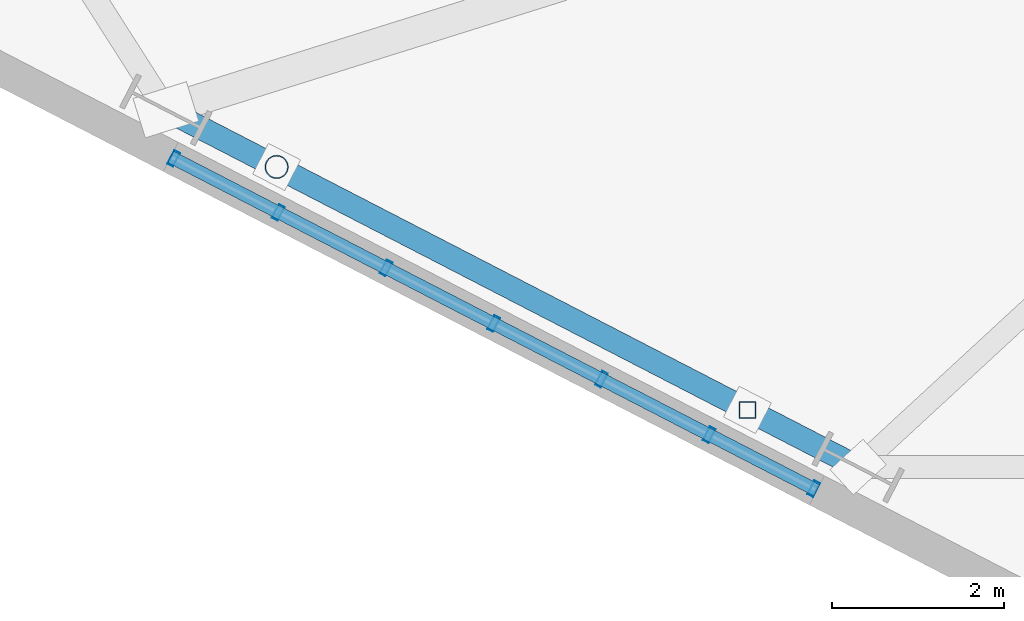
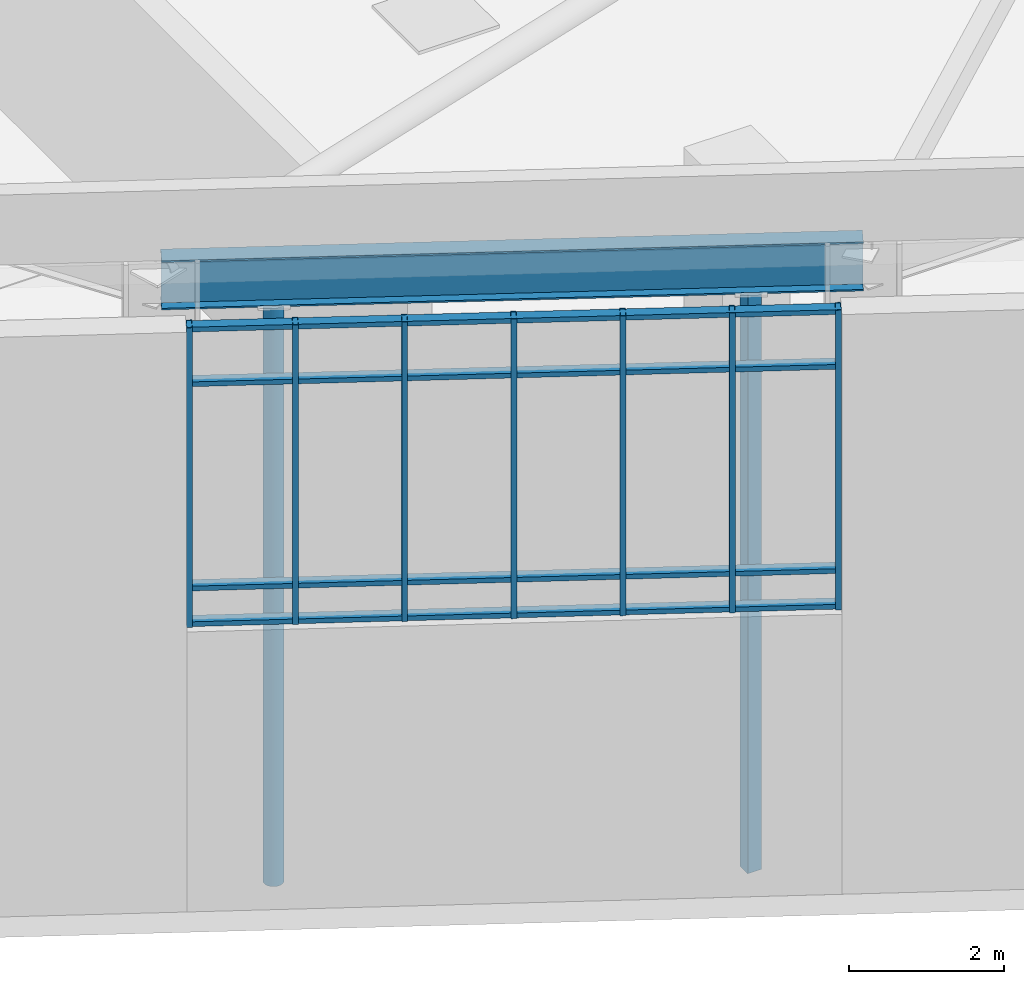
# One storey, part 2 of 23: 13 members, 1 beam, 1 element without a shape of its own.
"""IFC4 building model written with IfcOpenShell, lengths in metres."""

import ifcopenshell
import ifcopenshell.guid

model = None  # the IFC model being written
_history = None  # IfcOwnerHistory: only IFC2X3 demands one
_inside = {}  # id of a spatial element -> (the spatial element, [elements in it])
_under = {}  # id of a project, library or spatial element -> (it, [spatial elements below it])
_declared = {}  # id of a project -> (the project, [libraries it declares])
_typed = {}  # id of a type object -> (the type object, [elements of that type])
_made_of = {}  # id of a material, layer set ... -> (it, [elements and type objects made of it])


def new_model(schema):
    """Start an empty IFC model of exactly this schema.

    Asked for "IFC4X3", IfcOpenShell would pick the latest addendum, in which some entities
    have other attributes; the version numbers below select the first issue.
    IFC2X3 requires an IfcOwnerHistory on every rooted entity: one is made here for all.
    """
    global model, _history
    if schema == "IFC4X3":
        model = ifcopenshell.file(schema_version=(4, 3, 0, 0))
    else:
        model = ifcopenshell.file(schema=schema)
    _inside.clear()
    _under.clear()
    _declared.clear()
    _typed.clear()
    _made_of.clear()
    _history = None
    if model.schema == "IFC2X3":
        org = make("IfcOrganization", Name="unknown")
        user = make(
            "IfcPersonAndOrganization",
            ThePerson=make("IfcPerson", FamilyName="unknown"),
            TheOrganization=org,
        )
        app = make(
            "IfcApplication",
            ApplicationDeveloper=org,
            Version="unknown",
            ApplicationFullName="unknown",
            ApplicationIdentifier="unknown",
        )
        _history = make(
            "IfcOwnerHistory",
            OwningUser=user,
            OwningApplication=app,
            ChangeAction="ADDED",
            CreationDate=0,
        )
    return model


def make(cls, **values):
    """One entity of the class cls with the attributes given. An attribute that is None is left unset."""
    return model.create_entity(
        cls, **{name: value for name, value in values.items() if value is not None}
    )


def rooted(cls, **values):
    """An entity with a GlobalId (a new one), such as an element, a storey or a relation."""
    return make(cls, GlobalId=ifcopenshell.guid.new(), OwnerHistory=_history, **values)


def si_unit(unit_type, name, prefix=None):
    """IfcSIUnit, for example si_unit("LENGTHUNIT", "METRE", prefix="MILLI")."""
    return make("IfcSIUnit", UnitType=unit_type, Prefix=prefix, Name=name)


def assignment(units):
    """IfcUnitAssignment: the units of a project."""
    return None if units is None else make("IfcUnitAssignment", Units=units)


def point(xyz):
    """IfcCartesianPoint."""
    return None if xyz is None else make("IfcCartesianPoint", Coordinates=xyz)


def direction(xyz):
    """IfcDirection."""
    return None if xyz is None else make("IfcDirection", DirectionRatios=xyz)


def frame(location, z_axis=None, x_axis=None):
    """IfcAxis2Placement3D, a coordinate frame: its origin and axes. An axis left out is left unset."""
    return make(
        "IfcAxis2Placement3D",
        Location=point(location),
        Axis=direction(z_axis),
        RefDirection=direction(x_axis),
    )


def frame_2d(location, x_axis=None):
    """IfcAxis2Placement2D, a coordinate frame in the plane: its origin and x axis."""
    return make(
        "IfcAxis2Placement2D", Location=point(location), RefDirection=direction(x_axis)
    )


def origin():
    """The frame at (0, 0, 0) with its axes left unset."""
    return frame((0.0, 0.0, 0.0))


def origin_2d():
    """The frame at (0, 0) in the plane with its x axis left unset."""
    return frame_2d((0.0, 0.0))


def place(relative_to, where):
    """IfcLocalPlacement: puts the frame where relative to a parent placement (None: the world)."""
    return make(
        "IfcLocalPlacement", PlacementRelTo=relative_to, RelativePlacement=where
    )


def context(
    kind, dimensions, precision=None, world=None, true_north=None, identifier=None
):
    """IfcGeometricRepresentationContext, for example the 3D "Model" context."""
    return make(
        "IfcGeometricRepresentationContext",
        ContextIdentifier=identifier,
        ContextType=kind,
        CoordinateSpaceDimension=dimensions,
        Precision=precision,
        WorldCoordinateSystem=world,
        TrueNorth=true_north,
    )


def subcontext(parent, identifier, kind, view, scale=None):
    """IfcGeometricRepresentationSubContext, for example "Body" below "Model"."""
    return make(
        "IfcGeometricRepresentationSubContext",
        ContextIdentifier=identifier,
        ContextType=kind,
        ParentContext=parent,
        TargetScale=scale,
        TargetView=view,
    )


def project(units=None, contexts=None):
    """IfcProject with its units and contexts."""
    return rooted(
        "IfcProject",
        Name="project",
        RepresentationContexts=contexts,
        UnitsInContext=assignment(units),
    )


def spatial(cls, under=None, at=None, **own):
    """A site, building, storey or space (cls), placed at a placement, below another one or the project."""
    s = rooted(cls, ObjectPlacement=at, **own)
    if under is not None:
        _under.setdefault(under.id(), (under, []))[1].append(s)
    return s


def profile(cls, at=None, kind="AREA", **sizes):
    """A parametric profile (cls). Its sizes go by their IFC names, for example OverallWidth=200.0."""
    return make(cls, ProfileType=kind, Position=at, **sizes)


def hollow_rectangle(**sizes):
    """IfcRectangleHollowProfileDef."""
    return profile("IfcRectangleHollowProfileDef", **sizes)


def hollow_circle(**sizes):
    """IfcCircleHollowProfileDef."""
    return profile("IfcCircleHollowProfileDef", **sizes)


def i_section(**sizes):
    """IfcIShapeProfileDef."""
    return profile("IfcIShapeProfileDef", **sizes)


def extrude(swept, where, along, depth):
    """IfcExtrudedAreaSolid: the profile swept, set in the frame where, extruded along a direction by depth."""
    return make(
        "IfcExtrudedAreaSolid",
        SweptArea=swept,
        Position=where,
        ExtrudedDirection=direction(along),
        Depth=depth,
    )


def shape(context_of_items, identifier, shape_type, items):
    """IfcShapeRepresentation: the items that make up one representation, for example the "Body"."""
    return make(
        "IfcShapeRepresentation",
        ContextOfItems=context_of_items,
        RepresentationIdentifier=identifier,
        RepresentationType=shape_type,
        Items=items,
    )


def material(Name=None, Category=None):
    """IfcMaterial."""
    return make("IfcMaterial", Name=Name, Category=Category)


def layer(
    of_material, thickness, ventilated=None, Name=None, Category=None, Priority=None
):
    """IfcMaterialLayer: one layer of a wall or slab, of a material (None: an air gap)."""
    return make(
        "IfcMaterialLayer",
        Material=of_material,
        LayerThickness=thickness,
        IsVentilated=ventilated,
        Name=Name,
        Category=Category,
        Priority=Priority,
    )


def layer_set(layers, Name=None):
    """IfcMaterialLayerSet."""
    return make("IfcMaterialLayerSet", MaterialLayers=layers, LayerSetName=Name)


def material_profile(
    of_material, cross_section, Name=None, Category=None, Priority=None
):
    """IfcMaterialProfile: a cross section and its material."""
    return make(
        "IfcMaterialProfile",
        Name=Name,
        Material=of_material,
        Profile=cross_section,
        Priority=Priority,
        Category=Category,
    )


def profile_set(profiles, Name=None, composite=None):
    """IfcMaterialProfileSet."""
    return make(
        "IfcMaterialProfileSet",
        Name=Name,
        MaterialProfiles=profiles,
        CompositeProfile=composite,
    )


def made_of(thing, what):
    """Note that an element or type object is made of a material, layer set ...; save() writes the relation."""
    if what is not None:
        _made_of.setdefault(what.id(), (what, []))[1].append(thing)
    return thing


def type_object(cls, material=None, **own):
    """A type object (cls), such as IfcWallType, which elements share."""
    return made_of(rooted(cls, **own), material)


def element(
    cls,
    number,
    at=None,
    inside=None,
    cuts=None,
    type_object=None,
    material=None,
    context=None,
    identifier="Body",
    shape_type=None,
    held_by="IfcProductDefinitionShape",
    body=None,
    shapes=None,
    **own,
):
    """One element of the class cls, such as IfcWall. Its Tag is "e" and its number.

    at: its placement. inside: the storey or other place that contains it. cuts: it is an
    opening in that element (IfcRelVoidsElement). A single representation is given by context,
    identifier, shape_type and body (its items); several are given by shapes. held_by: the class
    of the entity that holds the representations. save() writes the other relations.
    """
    e = rooted(cls, Tag="e%d" % number, ObjectPlacement=at, **own)
    if body is not None:
        shapes = [shape(context, identifier, shape_type, body)]
    if shapes is not None:
        e.Representation = make(held_by, Representations=shapes)
    if inside is not None:
        _inside.setdefault(inside.id(), (inside, []))[1].append(e)
    if cuts is not None:
        rooted(
            "IfcRelVoidsElement", RelatingBuildingElement=cuts, RelatedOpeningElement=e
        )
    if type_object is not None:
        _typed.setdefault(type_object.id(), (type_object, []))[1].append(e)
    return made_of(e, material)


def aggregate(whole, parts):
    """IfcRelAggregates: a whole, such as a stair, and the parts it consists of."""
    return rooted("IfcRelAggregates", RelatingObject=whole, RelatedObjects=parts)


def save(model, path):
    """Write the relations noted so far, then the file.

    IfcRelAggregates (storeys below a building ...), IfcRelContainedInSpatialStructure (elements
    in a storey), IfcRelDefinesByType, IfcRelAssociatesMaterial and IfcRelDeclares: one each for
    every whole, place, type object, material and project.
    """
    for whole, parts in _under.values():
        aggregate(whole, parts)
    for where, things in _inside.values():
        rooted(
            "IfcRelContainedInSpatialStructure",
            RelatedElements=things,
            RelatingStructure=where,
        )
    for kind, things in _typed.values():
        rooted("IfcRelDefinesByType", RelatedObjects=things, RelatingType=kind)
    for what, things in _made_of.values():
        rooted("IfcRelAssociatesMaterial", RelatedObjects=things, RelatingMaterial=what)
    for by, libraries in _declared.values():
        rooted("IfcRelDeclares", RelatingContext=by, RelatedDefinitions=libraries)
    model.write(path)


model = new_model("IFC4")

# Units and contexts
model_context = context("Model", 3, precision=1e-05, world=origin(), true_north=direction((0.0, 1.0)))
body_context = subcontext(model_context, "Body", "Model", "MODEL_VIEW")
ifc_project = project(units=[si_unit("LENGTHUNIT", "METRE"), si_unit("AREAUNIT", "SQUARE_METRE"), si_unit("VOLUMEUNIT", "CUBIC_METRE"), si_unit("PLANEANGLEUNIT", "RADIAN"), si_unit("MASSUNIT", "GRAM", prefix="KILO"), si_unit("THERMODYNAMICTEMPERATUREUNIT", "KELVIN"), si_unit("POWERUNIT", "WATT")], contexts=[model_context])

# Site, building, storey
site_placement = place(None, origin())
site = spatial("IfcSite", under=ifc_project, at=site_placement, CompositionType="ELEMENT")
building_placement = place(site_placement, origin())
building = spatial("IfcBuilding", under=site, at=building_placement, Name="Skarre Station Tower", CompositionType="ELEMENT")
storey_placement = place(building_placement, frame((0.0, 0.0, 291.300048828125)))
storey = spatial("IfcBuildingStorey", under=building, at=storey_placement, Name="RF", CompositionType="ELEMENT", Elevation=291.300048828125)

# Curtain wall, members
ifc_material_1 = material(Name="Thermally Broken Bronze-Anodized Aluminium & Triple Low-E Glass", Category="aluminium")
ifc_layer = layer(ifc_material_1, 0.179931640625, Name="Thermally Broken Bronze-Anodized Aluminium & Triple Low-E Glass")
ifc_layer_set = layer_set([ifc_layer], Name="Thermally Broken Bronze-Anodized Aluminium & Triple Low-E Glass")
curtain_wall_type = type_object("IfcCurtainWallType", Name="Nordic Bronze Crown Lantern Stick Curtain Wall", PredefinedType="NOTDEFINED", material=ifc_layer_set)
curtain_wall_placement = place(storey_placement, origin())
curtain_wall = element("IfcCurtainWall", 1, at=curtain_wall_placement, inside=storey, type_object=curtain_wall_type, Name="RF Crown Lantern Facet 3 Curtain Wall", PredefinedType="NOTDEFINED")
ifc_material_2 = material(Name="Anodized Aluminium 6063-T6", Category="aluminium")
ifc_material_profile_1 = material_profile(ifc_material_2, hollow_rectangle(XDim=0.074951171875, YDim=0.14990234375, WallThickness=0.00390625, at=origin_2d()), Name="Anodized Aluminium 6063-T6")
ifc_profile_set_1 = profile_set([ifc_material_profile_1], Name="Anodized Aluminium 6063-T6")
member_type_1 = type_object("IfcMemberType", Name="Curtain-Wall Secondary Transom 150x75", PredefinedType="USERDEFINED", material=ifc_profile_set_1)
member_1_placement = place(storey_placement, frame((28.031982421875, 8.282958984375, 4.43994140625), z_axis=(-0.888640424469, 0.458604618381, 0.0), x_axis=(0.0, 0.0, 1.0)))
member_1 = element("IfcMember", 2, at=member_1_placement, type_object=member_type_1, Name="RF Crown Lantern Facet 3 Curtain Wall Transom 1", ObjectType="TRANSOM", PredefinedType="USERDEFINED", context=body_context, shape_type="SweptSolid", body=[
    extrude(hollow_rectangle(XDim=0.074951171875, YDim=0.14990234375, WallThickness=0.00390625, at=origin_2d()), origin(), (0.0, 0.0, 1.0), 8.443115234375),
])
member_2_placement = place(storey_placement, frame((28.031982421875, 8.282958984375, 5.0), z_axis=(-0.888640424469, 0.458604618381, 0.0), x_axis=(0.0, 0.0, 1.0)))
member_2 = element("IfcMember", 3, at=member_2_placement, type_object=member_type_1, Name="RF Crown Lantern Facet 3 Curtain Wall Transom 2", ObjectType="TRANSOM", PredefinedType="USERDEFINED", context=body_context, shape_type="SweptSolid", body=[
    extrude(hollow_rectangle(XDim=0.074951171875, YDim=0.14990234375, WallThickness=0.00390625, at=origin_2d()), origin(), (0.0, 0.0, 1.0), 8.443115234375),
])
member_3_placement = place(storey_placement, frame((28.031982421875, 8.282958984375, 8.2099609375), z_axis=(-0.888640424469, 0.458604618381, 0.0), x_axis=(0.0, 0.0, 1.0)))
member_3 = element("IfcMember", 4, at=member_3_placement, type_object=member_type_1, Name="RF Crown Lantern Facet 3 Curtain Wall Transom 3", ObjectType="TRANSOM", PredefinedType="USERDEFINED", context=body_context, shape_type="SweptSolid", body=[
    extrude(hollow_rectangle(XDim=0.074951171875, YDim=0.14990234375, WallThickness=0.00390625, at=origin_2d()), origin(), (0.0, 0.0, 1.0), 8.443115234375),
])
member_4_placement = place(storey_placement, frame((28.031982421875, 8.282958984375, 9.070068359375), z_axis=(-0.888640424469, 0.458604618381, 0.0), x_axis=(0.0, 0.0, 1.0)))
member_4 = element("IfcMember", 5, at=member_4_placement, type_object=member_type_1, Name="RF Crown Lantern Facet 3 Curtain Wall Transom 4", ObjectType="TRANSOM", PredefinedType="USERDEFINED", context=body_context, shape_type="SweptSolid", body=[
    extrude(hollow_rectangle(XDim=0.074951171875, YDim=0.14990234375, WallThickness=0.00390625, at=origin_2d()), origin(), (0.0, 0.0, 1.0), 8.443115234375),
])
ifc_material_profile_2 = material_profile(ifc_material_2, hollow_rectangle(XDim=0.074951171875, YDim=0.179931640625, WallThickness=0.00390625, at=origin_2d()), Name="Anodized Aluminium 6063-T6")
ifc_profile_set_2 = profile_set([ifc_material_profile_2], Name="Anodized Aluminium 6063-T6")
member_type_2 = type_object("IfcMemberType", Name="Curtain-Wall Unitised Tower Mullion 180x75", PredefinedType="MULLION", material=ifc_profile_set_2)
member_5_placement = place(storey_placement, frame((27.99609375, 8.301025390625, 4.39990234375), z_axis=(0.0, 0.0, 1.0), x_axis=(-0.888649250269, 0.458587516181, 0.0)))
member_5 = element("IfcMember", 6, at=member_5_placement, type_object=member_type_2, Name="RF Crown Lantern Facet 3 Curtain Wall Mullion 1", PredefinedType="MULLION", context=body_context, shape_type="SweptSolid", body=[
    extrude(hollow_rectangle(XDim=0.074951171875, YDim=0.179931640625, WallThickness=0.00390625, at=origin_2d()), origin(), (0.0, 0.0, 1.0), 4.7099609375),
])
member_6_placement = place(storey_placement, frame((26.781982421875, 8.927978515625, 4.39990234375), z_axis=(0.0, 0.0, 1.0), x_axis=(-0.888649250269, 0.458587516181, 0.0)))
member_6 = element("IfcMember", 7, at=member_6_placement, type_object=member_type_2, Name="RF Crown Lantern Facet 3 Curtain Wall Mullion 2", PredefinedType="MULLION", context=body_context, shape_type="SweptSolid", body=[
    extrude(hollow_rectangle(XDim=0.074951171875, YDim=0.179931640625, WallThickness=0.00390625, at=origin_2d()), origin(), (0.0, 0.0, 1.0), 4.7099609375),
])
member_7_placement = place(storey_placement, frame((25.531005859375, 9.573974609375, 4.39990234375), z_axis=(0.0, 0.0, 1.0), x_axis=(-0.888649250269, 0.458587516181, 0.0)))
member_7 = element("IfcMember", 8, at=member_7_placement, type_object=member_type_2, Name="RF Crown Lantern Facet 3 Curtain Wall Mullion 3", PredefinedType="MULLION", context=body_context, shape_type="SweptSolid", body=[
    extrude(hollow_rectangle(XDim=0.074951171875, YDim=0.179931640625, WallThickness=0.00390625, at=origin_2d()), origin(), (0.0, 0.0, 1.0), 4.7099609375),
])
member_8_placement = place(storey_placement, frame((24.280029296875, 10.218994140625, 4.39990234375), z_axis=(0.0, 0.0, 1.0), x_axis=(-0.888649250269, 0.458587516181, 0.0)))
member_8 = element("IfcMember", 9, at=member_8_placement, type_object=member_type_2, Name="RF Crown Lantern Facet 3 Curtain Wall Mullion 4", PredefinedType="MULLION", context=body_context, shape_type="SweptSolid", body=[
    extrude(hollow_rectangle(XDim=0.074951171875, YDim=0.179931640625, WallThickness=0.00390625, at=origin_2d()), origin(), (0.0, 0.0, 1.0), 4.7099609375),
])
member_9_placement = place(storey_placement, frame((23.030029296875, 10.864013671875, 4.39990234375), z_axis=(0.0, 0.0, 1.0), x_axis=(-0.888649250269, 0.458587516181, 0.0)))
member_9 = element("IfcMember", 10, at=member_9_placement, type_object=member_type_2, Name="RF Crown Lantern Facet 3 Curtain Wall Mullion 5", PredefinedType="MULLION", context=body_context, shape_type="SweptSolid", body=[
    extrude(hollow_rectangle(XDim=0.074951171875, YDim=0.179931640625, WallThickness=0.00390625, at=origin_2d()), origin(), (0.0, 0.0, 1.0), 4.7099609375),
])
member_10_placement = place(storey_placement, frame((21.779052734375, 11.510009765625, 4.39990234375), z_axis=(0.0, 0.0, 1.0), x_axis=(-0.888649250269, 0.458587516181, 0.0)))
member_10 = element("IfcMember", 11, at=member_10_placement, type_object=member_type_2, Name="RF Crown Lantern Facet 3 Curtain Wall Mullion 6", PredefinedType="MULLION", context=body_context, shape_type="SweptSolid", body=[
    extrude(hollow_rectangle(XDim=0.074951171875, YDim=0.179931640625, WallThickness=0.00390625, at=origin_2d()), origin(), (0.0, 0.0, 1.0), 4.7099609375),
])
member_11_placement = place(storey_placement, frame((20.56494140625, 12.136962890625, 4.39990234375), z_axis=(0.0, 0.0, 1.0), x_axis=(-0.888649250269, 0.458587516181, 0.0)))
member_11 = element("IfcMember", 12, at=member_11_placement, type_object=member_type_2, Name="RF Crown Lantern Facet 3 Curtain Wall Mullion 7", PredefinedType="MULLION", context=body_context, shape_type="SweptSolid", body=[
    extrude(hollow_rectangle(XDim=0.074951171875, YDim=0.179931640625, WallThickness=0.00390625, at=origin_2d()), origin(), (0.0, 0.0, 1.0), 4.7099609375),
])
aggregate(curtain_wall, [member_5, member_6, member_7, member_8, member_9, member_10, member_11, member_1, member_2, member_3, member_4])

# Beam
ifc_material_3 = material(Name="Steel ASTM A992 Grade 50", Category="steel")
ifc_material_profile_3 = material_profile(ifc_material_3, i_section(OverallWidth=0.26806640625, OverallDepth=0.77001953125, WebThickness=0.01611328125, FlangeThickness=0.02490234375, at=origin_2d()), Name="Steel ASTM A992 Grade 50")
ifc_profile_set_3 = profile_set([ifc_material_profile_3], Name="Steel ASTM A992 Grade 50")
beam_type = type_object("IfcBeamType", Name="Steel Beam W30X132", PredefinedType="BEAM", material=ifc_profile_set_3)
beam_placement = place(storey_placement, frame((20.472900390625, 12.701904296875, 9.494873046875), z_axis=(0.888610011727, -0.458663544505, 0.0), x_axis=(0.458663544505, 0.888610011727, 0.0)))
element("IfcBeam", 13, at=beam_placement, inside=storey, type_object=beam_type, Name="RF Crown Lantern Cap Ring Beam 7", PredefinedType="BEAM", context=body_context, shape_type="SweptSolid", body=[
    extrude(i_section(OverallWidth=0.26806640625, OverallDepth=0.77001953125, WebThickness=0.01611328125, FlangeThickness=0.02490234375, at=origin_2d()), origin(), (0.0, 0.0, 1.0), 9.045654296875),
])

# Members
ifc_material_4 = material(Name="Steel ASTM A500 Grade C", Category="steel")
ifc_material_profile_4 = material_profile(ifc_material_4, hollow_circle(Radius=0.136474609375, WallThickness=0.011962890625, at=origin_2d()), Name="Steel ASTM A500 Grade C")
ifc_profile_set_4 = profile_set([ifc_material_profile_4], Name="Steel ASTM A500 Grade C")
member_type_3 = type_object("IfcMemberType", Name="Steel Truss Strut CHS273X12", PredefinedType="STRUT", material=ifc_profile_set_4)
member_12_placement = place(storey_placement, frame((21.759033203125, 12.0380859375, 0.0), z_axis=(0.0, 0.0, 1.0), x_axis=(1.0, 0.0, 0.0)))
element("IfcMember", 14, at=member_12_placement, inside=storey, type_object=member_type_3, Name="RF Crown Pier Post 7A", PredefinedType="STRUT", context=body_context, shape_type="SweptSolid", body=[
    extrude(hollow_circle(Radius=0.136474609375, WallThickness=0.011962890625, at=origin_2d()), origin(), (0.0, 0.0, 1.0), 9.119873046875),
])
ifc_material_profile_5 = material_profile(ifc_material_4, hollow_rectangle(XDim=0.199951171875, YDim=0.199951171875, WallThickness=0.011962890625, at=origin_2d()), Name="Steel ASTM A500 Grade C")
ifc_profile_set_5 = profile_set([ifc_material_profile_5], Name="Steel ASTM A500 Grade C")
member_type_4 = type_object("IfcMemberType", Name="Steel Truss Strut HSS200X200X12", PredefinedType="STRUT", material=ifc_profile_set_5)
member_13_placement = place(storey_placement, frame((27.22509765625, 9.217041015625, 0.0), z_axis=(0.0, 0.0, 1.0), x_axis=(1.0, 0.0, 0.0)))
element("IfcMember", 15, at=member_13_placement, inside=storey, type_object=member_type_4, Name="RF Crown Pier Post 7B", PredefinedType="STRUT", context=body_context, shape_type="SweptSolid", body=[
    extrude(hollow_rectangle(XDim=0.199951171875, YDim=0.199951171875, WallThickness=0.011962890625, at=origin_2d()), origin(), (0.0, 0.0, 1.0), 9.119873046875),
])

save(model, "model.ifc")
